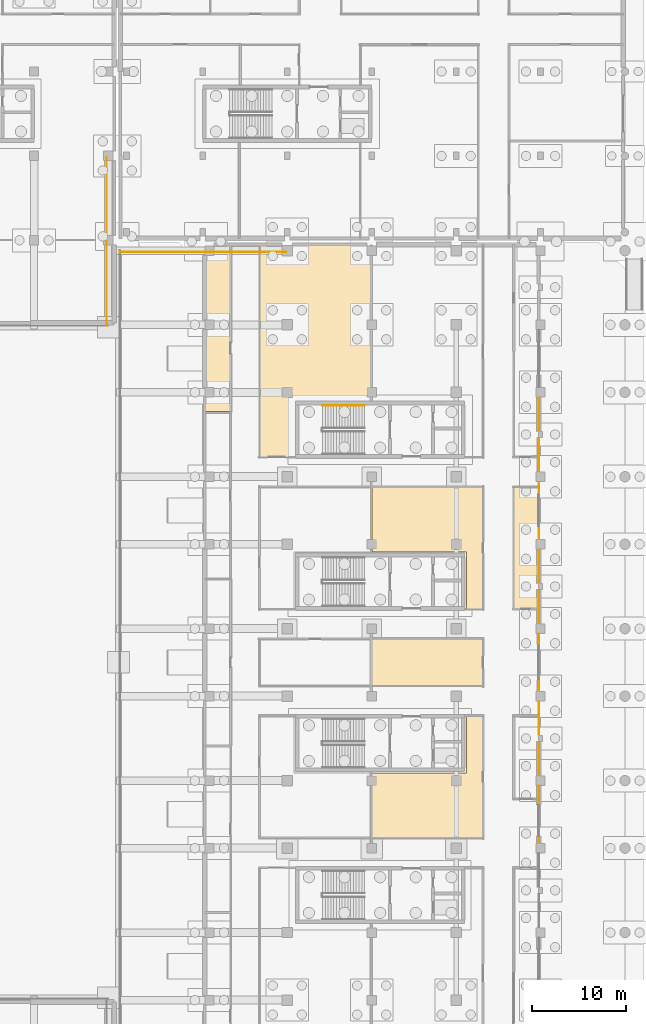
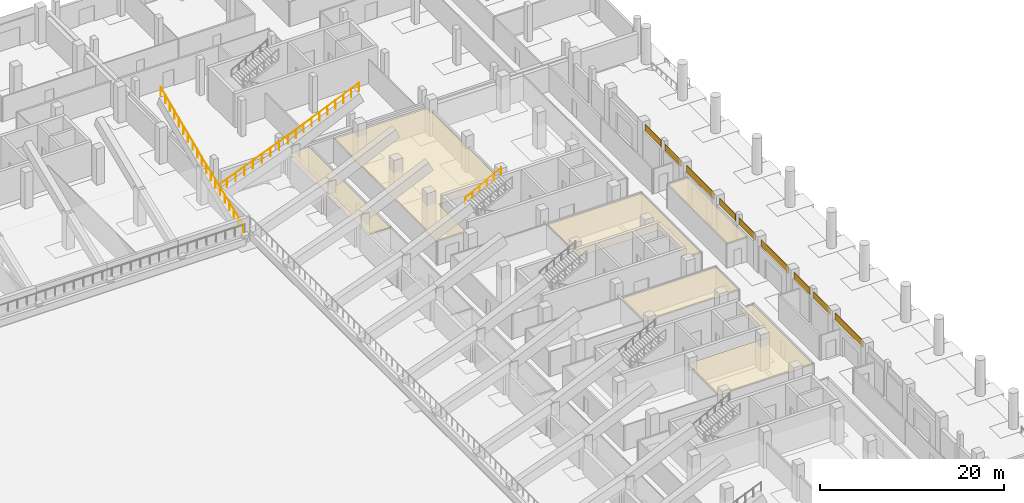
# One storey, part 50 of 53: 15 coverings, 3 railings.
"""IFC4 building model written with IfcOpenShell, lengths in metres."""

from ifc_helpers import new_model, si_unit, direction, frame, origin, origin_2d, place, context, subcontext, project, spatial, polyline, rectangle, circle, outline, extrude, material, layer, layer_set, type_object, element, save


model = new_model("IFC4")

# Units and contexts
model_context = context("Model", 3, precision=1e-05, world=origin(), true_north=direction((0.0, 1.0)))
body_context = subcontext(model_context, "Body", "Model", "MODEL_VIEW")
ifc_project = project(units=[si_unit("LENGTHUNIT", "METRE"), si_unit("AREAUNIT", "SQUARE_METRE"), si_unit("VOLUMEUNIT", "CUBIC_METRE"), si_unit("PLANEANGLEUNIT", "RADIAN"), si_unit("MASSUNIT", "GRAM", prefix="KILO"), si_unit("THERMODYNAMICTEMPERATUREUNIT", "KELVIN"), si_unit("POWERUNIT", "WATT")], contexts=[model_context])

# Site, building, storey
site_placement = place(None, origin())
site = spatial("IfcSite", under=ifc_project, at=site_placement, CompositionType="ELEMENT")
building_placement = place(site_placement, origin())
building = spatial("IfcBuilding", under=site, at=building_placement, Name="Sindhuravela Promenade Stadium", CompositionType="ELEMENT")
storey_placement = place(building_placement, origin())
storey = spatial("IfcBuildingStorey", under=building, at=storey_placement, Name="L00", CompositionType="ELEMENT", Elevation=0.0)

# Coverings
ifc_material_1 = material(Name="Acoustic mineral-fibre ceiling tile", Category="gypsum")
ifc_layer_1 = layer(ifc_material_1, 0.02490234375)
ifc_layer_set_1 = layer_set([ifc_layer_1], Name="Acoustic mineral-fibre ceiling tile")
covering_type_1 = type_object("IfcCoveringType", Name="CV-CEIL-1", PredefinedType="CEILING", material=ifc_layer_set_1)
covering_1_placement = place(storey_placement, frame((0.0, 0.0, 3.050048828125)))
element("IfcCovering", 1, at=covering_1_placement, inside=storey, type_object=covering_type_1, Name="Acoustic ceiling Supporters Entrance Hall", PredefinedType="CEILING", context=body_context, shape_type="SweptSolid", body=[
    extrude(outline(polyline([(180.719970703125, 108.97998046875), (180.719970703125, 102.889892578125), (180.719970703125, 102.887939453125), (180.719482421875, 102.885986328125), (180.718994140625, 102.88427734375), (180.718505859375, 102.88232421875), (180.717529296875, 102.880615234375), (180.716552734375, 102.87890625), (180.715576171875, 102.877197265625), (180.714111328125, 102.8759765625), (180.712646484375, 102.87451171875), (180.711181640625, 102.873291015625), (180.70947265625, 102.872314453125), (180.707763671875, 102.87158203125), (180.705810546875, 102.870849609375), (180.703857421875, 102.870361328125), (180.701904296875, 102.8701171875), (180.699951171875, 102.8701171875), (177.0400390625, 102.8701171875), (177.0380859375, 102.8701171875), (177.0361328125, 102.870361328125), (177.0341796875, 102.870849609375), (177.0322265625, 102.87158203125), (177.030517578125, 102.872314453125), (177.02880859375, 102.873291015625), (177.02734375, 102.87451171875), (177.02587890625, 102.8759765625), (177.0244140625, 102.877197265625), (177.0234375, 102.87890625), (177.0224609375, 102.880615234375), (177.021484375, 102.88232421875), (177.02099609375, 102.88427734375), (177.0205078125, 102.885986328125), (177.02001953125, 102.887939453125), (177.02001953125, 102.889892578125), (177.02001953125, 125.429931640625), (177.02001953125, 125.431884765625), (177.0205078125, 125.433837890625), (177.02099609375, 125.435791015625), (177.021484375, 125.437744140625), (177.0224609375, 125.439453125), (177.0234375, 125.441162109375), (177.0244140625, 125.442626953125), (177.02587890625, 125.444091796875), (177.02734375, 125.445556640625), (177.02880859375, 125.446533203125), (177.030517578125, 125.447509765625), (177.0322265625, 125.448486328125), (177.0341796875, 125.44921875), (177.0361328125, 125.44970703125), (177.0380859375, 125.449951171875), (177.0400390625, 125.449951171875), (188.830078125, 125.449951171875), (188.83203125, 125.449951171875), (188.833984375, 125.44970703125), (188.835693359375, 125.44921875), (188.837646484375, 125.448486328125), (188.83935546875, 125.447509765625), (188.841064453125, 125.446533203125), (188.8427734375, 125.445556640625), (188.843994140625, 125.444091796875), (188.845458984375, 125.442626953125), (188.8466796875, 125.441162109375), (188.84765625, 125.439453125), (188.848388671875, 125.437744140625), (188.84912109375, 125.435791015625), (188.849609375, 125.433837890625), (188.849853515625, 125.431884765625), (188.85009765625, 125.429931640625), (188.85009765625, 109.0), (188.849853515625, 108.998046875), (188.849609375, 108.99609375), (188.84912109375, 108.994140625), (188.848388671875, 108.9921875), (188.84765625, 108.990478515625), (188.8466796875, 108.989013671875), (188.845458984375, 108.9873046875), (188.843994140625, 108.98583984375), (188.8427734375, 108.984619140625), (188.841064453125, 108.9833984375), (188.83935546875, 108.982421875), (188.837646484375, 108.9814453125), (188.835693359375, 108.98095703125), (188.833984375, 108.98046875), (188.83203125, 108.97998046875), (188.830078125, 108.97998046875), (180.719970703125, 108.97998046875)])), origin(), (0.0, 0.0, 1.0), 0.02490234375),
])
covering_2_placement = place(storey_placement, frame((0.0, 0.0, 3.050048828125)))
element("IfcCovering", 2, at=covering_2_placement, inside=storey, type_object=covering_type_1, Name="Acoustic ceiling Accessible WC East L00", PredefinedType="CEILING", context=body_context, shape_type="SweptSolid", body=[
    extrude(outline(polyline([(200.860107421875, 99.72998046875), (200.862060546875, 99.72998046875), (200.864013671875, 99.7294921875), (200.86572265625, 99.72900390625), (200.86767578125, 99.728515625), (200.869384765625, 99.7275390625), (200.87109375, 99.7265625), (200.872802734375, 99.7255859375), (200.8740234375, 99.72412109375), (200.87548828125, 99.72265625), (200.876708984375, 99.72119140625), (200.877685546875, 99.719482421875), (200.87841796875, 99.7177734375), (200.879150390625, 99.7158203125), (200.879638671875, 99.7138671875), (200.8798828125, 99.7119140625), (200.8798828125, 99.7099609375), (200.8798828125, 86.68994140625), (200.8798828125, 86.68798828125), (200.879638671875, 86.68603515625), (200.879150390625, 86.68408203125), (200.87841796875, 86.682373046875), (200.877685546875, 86.6806640625), (200.876708984375, 86.678955078125), (200.87548828125, 86.67724609375), (200.8740234375, 86.67578125), (200.872802734375, 86.674560546875), (200.87109375, 86.67333984375), (200.869384765625, 86.67236328125), (200.86767578125, 86.67138671875), (200.86572265625, 86.6708984375), (200.864013671875, 86.67041015625), (200.862060546875, 86.670166015625), (200.860107421875, 86.669921875), (199.10009765625, 86.669921875), (199.097900390625, 86.670166015625), (199.09619140625, 86.67041015625), (199.09423828125, 86.6708984375), (199.09228515625, 86.67138671875), (199.090576171875, 86.67236328125), (199.0888671875, 86.67333984375), (199.08740234375, 86.674560546875), (199.0859375, 86.67578125), (199.08447265625, 86.67724609375), (199.08349609375, 86.678955078125), (199.08251953125, 86.6806640625), (199.08154296875, 86.682373046875), (199.080810546875, 86.68408203125), (199.080322265625, 86.68603515625), (199.080078125, 86.68798828125), (199.080078125, 86.68994140625), (199.080078125, 92.780029296875), (189.070068359375, 92.780029296875), (189.068115234375, 92.780029296875), (189.066162109375, 92.780517578125), (189.064208984375, 92.781005859375), (189.062255859375, 92.781494140625), (189.060546875, 92.782470703125), (189.058837890625, 92.783447265625), (189.057373046875, 92.784423828125), (189.055908203125, 92.785888671875), (189.054443359375, 92.787353515625), (189.053466796875, 92.788818359375), (189.052490234375, 92.79052734375), (189.051513671875, 92.792236328125), (189.05078125, 92.794189453125), (189.05029296875, 92.796142578125), (189.050048828125, 92.798095703125), (189.050048828125, 92.800048828125), (189.050048828125, 99.7099609375), (189.050048828125, 99.7119140625), (189.05029296875, 99.7138671875), (189.05078125, 99.7158203125), (189.051513671875, 99.7177734375), (189.052490234375, 99.719482421875), (189.053466796875, 99.72119140625), (189.054443359375, 99.72265625), (189.055908203125, 99.72412109375), (189.057373046875, 99.7255859375), (189.058837890625, 99.7265625), (189.060546875, 99.7275390625), (189.062255859375, 99.728515625), (189.064208984375, 99.72900390625), (189.066162109375, 99.7294921875), (189.068115234375, 99.72998046875), (189.070068359375, 99.72998046875), (200.860107421875, 99.72998046875)])), origin(), (0.0, 0.0, 1.0), 0.02490234375),
])
covering_3_placement = place(storey_placement, frame((0.0, 0.0, 3.050048828125)))
element("IfcCovering", 3, at=covering_3_placement, inside=storey, type_object=covering_type_1, Name="Acoustic ceiling Supporters Entrance Hall 2", PredefinedType="CEILING", context=body_context, shape_type="SweptSolid", body=[
    extrude(outline(polyline([(200.860107421875, 83.530029296875), (200.862060546875, 83.52978515625), (200.864013671875, 83.529541015625), (200.86572265625, 83.529052734375), (200.86767578125, 83.528564453125), (200.869384765625, 83.527587890625), (200.87109375, 83.526611328125), (200.872802734375, 83.525390625), (200.8740234375, 83.524169921875), (200.87548828125, 83.522705078125), (200.876708984375, 83.52099609375), (200.877685546875, 83.519287109375), (200.87841796875, 83.517578125), (200.879150390625, 83.515869140625), (200.879638671875, 83.513916015625), (200.8798828125, 83.511962890625), (200.8798828125, 83.510009765625), (200.8798828125, 78.489990234375), (200.8798828125, 78.488037109375), (200.879638671875, 78.486083984375), (200.879150390625, 78.484130859375), (200.87841796875, 78.482421875), (200.877685546875, 78.480712890625), (200.876708984375, 78.47900390625), (200.87548828125, 78.477294921875), (200.8740234375, 78.475830078125), (200.872802734375, 78.474609375), (200.87109375, 78.473388671875), (200.869384765625, 78.472412109375), (200.86767578125, 78.471435546875), (200.86572265625, 78.470947265625), (200.864013671875, 78.470458984375), (200.862060546875, 78.47021484375), (200.860107421875, 78.469970703125), (189.070068359375, 78.469970703125), (189.068115234375, 78.47021484375), (189.066162109375, 78.470458984375), (189.064208984375, 78.470947265625), (189.062255859375, 78.471435546875), (189.060546875, 78.472412109375), (189.058837890625, 78.473388671875), (189.057373046875, 78.474609375), (189.055908203125, 78.475830078125), (189.054443359375, 78.477294921875), (189.053466796875, 78.47900390625), (189.052490234375, 78.480712890625), (189.051513671875, 78.482421875), (189.05078125, 78.484130859375), (189.05029296875, 78.486083984375), (189.050048828125, 78.488037109375), (189.050048828125, 78.489990234375), (189.050048828125, 83.510009765625), (189.050048828125, 83.511962890625), (189.05029296875, 83.513916015625), (189.05078125, 83.515869140625), (189.051513671875, 83.517578125), (189.052490234375, 83.519287109375), (189.053466796875, 83.52099609375), (189.054443359375, 83.522705078125), (189.055908203125, 83.524169921875), (189.057373046875, 83.525390625), (189.058837890625, 83.526611328125), (189.060546875, 83.527587890625), (189.062255859375, 83.528564453125), (189.064208984375, 83.529052734375), (189.066162109375, 83.529541015625), (189.068115234375, 83.52978515625), (189.070068359375, 83.530029296875), (200.860107421875, 83.530029296875)])), origin(), (0.0, 0.0, 1.0), 0.02490234375),
])
ifc_layer_2 = layer(ifc_material_1, 0.044921875)
ifc_layer_set_2 = layer_set([ifc_layer_2], Name="Acoustic mineral-fibre ceiling tile")
covering_type_2 = type_object("IfcCoveringType", Name="CV-CEIL-2", PredefinedType="CEILING", material=ifc_layer_set_2)
covering_4_placement = place(storey_placement, frame((0.0, 0.0, 3.050048828125)))
element("IfcCovering", 4, at=covering_4_placement, inside=storey, type_object=covering_type_2, Name="Acoustic ceiling Public Toilet Block East L00", PredefinedType="CEILING", context=body_context, shape_type="SweptSolid", body=[
    extrude(outline(polyline([(199.080078125, 75.31005859375), (199.080078125, 75.31201171875), (199.080322265625, 75.31396484375), (199.080810546875, 75.31591796875), (199.08154296875, 75.317626953125), (199.08251953125, 75.3193359375), (199.08349609375, 75.321044921875), (199.08447265625, 75.32275390625), (199.0859375, 75.32421875), (199.08740234375, 75.325439453125), (199.0888671875, 75.32666015625), (199.090576171875, 75.32763671875), (199.09228515625, 75.32861328125), (199.09423828125, 75.3291015625), (199.09619140625, 75.32958984375), (199.097900390625, 75.329833984375), (199.10009765625, 75.330078125), (200.860107421875, 75.330078125), (200.862060546875, 75.329833984375), (200.864013671875, 75.32958984375), (200.86572265625, 75.3291015625), (200.86767578125, 75.32861328125), (200.869384765625, 75.32763671875), (200.87109375, 75.32666015625), (200.872802734375, 75.325439453125), (200.8740234375, 75.32421875), (200.87548828125, 75.32275390625), (200.876708984375, 75.321044921875), (200.877685546875, 75.3193359375), (200.87841796875, 75.317626953125), (200.879150390625, 75.31591796875), (200.879638671875, 75.31396484375), (200.8798828125, 75.31201171875), (200.8798828125, 75.31005859375), (200.8798828125, 62.2900390625), (200.8798828125, 62.2880859375), (200.879638671875, 62.2861328125), (200.879150390625, 62.2841796875), (200.87841796875, 62.2822265625), (200.877685546875, 62.280517578125), (200.876708984375, 62.27880859375), (200.87548828125, 62.27734375), (200.8740234375, 62.27587890625), (200.872802734375, 62.2744140625), (200.87109375, 62.2734375), (200.869384765625, 62.2724609375), (200.86767578125, 62.271484375), (200.86572265625, 62.27099609375), (200.864013671875, 62.2705078125), (200.862060546875, 62.27001953125), (200.860107421875, 62.27001953125), (189.070068359375, 62.27001953125), (189.068115234375, 62.27001953125), (189.066162109375, 62.2705078125), (189.064208984375, 62.27099609375), (189.062255859375, 62.271484375), (189.060546875, 62.2724609375), (189.058837890625, 62.2734375), (189.057373046875, 62.2744140625), (189.055908203125, 62.27587890625), (189.054443359375, 62.27734375), (189.053466796875, 62.27880859375), (189.052490234375, 62.280517578125), (189.051513671875, 62.2822265625), (189.05078125, 62.2841796875), (189.05029296875, 62.2861328125), (189.050048828125, 62.2880859375), (189.050048828125, 62.2900390625), (189.050048828125, 69.199951171875), (189.050048828125, 69.201904296875), (189.05029296875, 69.203857421875), (189.05078125, 69.205810546875), (189.051513671875, 69.207763671875), (189.052490234375, 69.20947265625), (189.053466796875, 69.211181640625), (189.054443359375, 69.212646484375), (189.055908203125, 69.214111328125), (189.057373046875, 69.215576171875), (189.058837890625, 69.216552734375), (189.060546875, 69.217529296875), (189.062255859375, 69.218505859375), (189.064208984375, 69.218994140625), (189.066162109375, 69.219482421875), (189.068115234375, 69.219970703125), (189.070068359375, 69.219970703125), (199.080078125, 69.219970703125), (199.080078125, 75.31005859375)])), origin(), (0.0, 0.0, 1.0), 0.044921875),
])
covering_5_placement = place(storey_placement, frame((0.0, 0.0, 3.050048828125)))
element("IfcCovering", 5, at=covering_5_placement, inside=storey, type_object=covering_type_2, Name="Acoustic ceiling Sports Museum Foyer 5", PredefinedType="CEILING", context=body_context, shape_type="SweptSolid", body=[
    extrude(outline(polyline([(173.9599609375, 125.449951171875), (173.9619140625, 125.449951171875), (173.9638671875, 125.44970703125), (173.9658203125, 125.44921875), (173.9677734375, 125.448486328125), (173.969482421875, 125.447509765625), (173.97119140625, 125.446533203125), (173.97265625, 125.445556640625), (173.97412109375, 125.444091796875), (173.9755859375, 125.442626953125), (173.9765625, 125.441162109375), (173.9775390625, 125.439453125), (173.978515625, 125.437744140625), (173.97900390625, 125.435791015625), (173.9794921875, 125.433837890625), (173.97998046875, 125.431884765625), (173.97998046875, 125.429931640625), (173.97998046875, 107.778076171875), (173.97998046875, 107.77587890625), (173.9794921875, 107.774169921875), (173.97900390625, 107.772216796875), (173.978515625, 107.770263671875), (173.9775390625, 107.7685546875), (173.9765625, 107.766845703125), (173.9755859375, 107.765380859375), (173.97412109375, 107.763916015625), (173.97265625, 107.762451171875), (173.97119140625, 107.761474609375), (173.969482421875, 107.760498046875), (173.9677734375, 107.759521484375), (173.9658203125, 107.7587890625), (173.9638671875, 107.75830078125), (173.9619140625, 107.758056640625), (173.9599609375, 107.758056640625), (171.320068359375, 107.758056640625), (171.318115234375, 107.758056640625), (171.316162109375, 107.75830078125), (171.314208984375, 107.7587890625), (171.312255859375, 107.759521484375), (171.310546875, 107.760498046875), (171.308837890625, 107.761474609375), (171.307373046875, 107.762451171875), (171.305908203125, 107.763916015625), (171.304443359375, 107.765380859375), (171.303466796875, 107.766845703125), (171.302490234375, 107.7685546875), (171.301513671875, 107.770263671875), (171.30078125, 107.772216796875), (171.30029296875, 107.774169921875), (171.300048828125, 107.77587890625), (171.300048828125, 107.778076171875), (171.300048828125, 125.429931640625), (171.300048828125, 125.431884765625), (171.30029296875, 125.433837890625), (171.30078125, 125.435791015625), (171.301513671875, 125.437744140625), (171.302490234375, 125.439453125), (171.303466796875, 125.441162109375), (171.304443359375, 125.442626953125), (171.305908203125, 125.444091796875), (171.307373046875, 125.445556640625), (171.308837890625, 125.446533203125), (171.310546875, 125.447509765625), (171.312255859375, 125.448486328125), (171.314208984375, 125.44921875), (171.316162109375, 125.44970703125), (171.318115234375, 125.449951171875), (171.320068359375, 125.449951171875), (173.9599609375, 125.449951171875)])), origin(), (0.0, 0.0, 1.0), 0.044921875),
])
covering_6_placement = place(storey_placement, frame((0.0, 0.0, 3.050048828125)))
element("IfcCovering", 6, at=covering_6_placement, inside=storey, type_object=covering_type_2, Name="Acoustic ceiling Public Toilet Block East L00 9", PredefinedType="CEILING", context=body_context, shape_type="SweptSolid", body=[
    extrude(outline(polyline([(206.699951171875, 86.68994140625), (206.699951171875, 86.68798828125), (206.69970703125, 86.68603515625), (206.69921875, 86.68408203125), (206.698486328125, 86.682373046875), (206.697509765625, 86.6806640625), (206.696533203125, 86.678955078125), (206.695556640625, 86.67724609375), (206.694091796875, 86.67578125), (206.692626953125, 86.674560546875), (206.691162109375, 86.67333984375), (206.689453125, 86.67236328125), (206.687744140625, 86.67138671875), (206.685791015625, 86.6708984375), (206.683837890625, 86.67041015625), (206.681884765625, 86.670166015625), (206.679931640625, 86.669921875), (204.139892578125, 86.669921875), (204.137939453125, 86.670166015625), (204.135986328125, 86.67041015625), (204.13427734375, 86.6708984375), (204.13232421875, 86.67138671875), (204.130615234375, 86.67236328125), (204.12890625, 86.67333984375), (204.127197265625, 86.674560546875), (204.1259765625, 86.67578125), (204.12451171875, 86.67724609375), (204.123291015625, 86.678955078125), (204.122314453125, 86.6806640625), (204.12158203125, 86.682373046875), (204.120849609375, 86.68408203125), (204.120361328125, 86.68603515625), (204.1201171875, 86.68798828125), (204.1201171875, 86.68994140625), (204.1201171875, 99.7099609375), (204.1201171875, 99.7119140625), (204.120361328125, 99.7138671875), (204.120849609375, 99.7158203125), (204.12158203125, 99.7177734375), (204.122314453125, 99.719482421875), (204.123291015625, 99.72119140625), (204.12451171875, 99.72265625), (204.1259765625, 99.72412109375), (204.127197265625, 99.7255859375), (204.12890625, 99.7265625), (204.130615234375, 99.7275390625), (204.13232421875, 99.728515625), (204.13427734375, 99.72900390625), (204.135986328125, 99.7294921875), (204.137939453125, 99.72998046875), (204.139892578125, 99.72998046875), (206.679931640625, 99.72998046875), (206.681884765625, 99.72998046875), (206.683837890625, 99.7294921875), (206.685791015625, 99.72900390625), (206.687744140625, 99.728515625), (206.689453125, 99.7275390625), (206.691162109375, 99.7265625), (206.692626953125, 99.7255859375), (206.694091796875, 99.72412109375), (206.695556640625, 99.72265625), (206.696533203125, 99.72119140625), (206.697509765625, 99.719482421875), (206.698486328125, 99.7177734375), (206.69921875, 99.7158203125), (206.69970703125, 99.7138671875), (206.699951171875, 99.7119140625), (206.699951171875, 99.7099609375), (206.699951171875, 86.68994140625)])), origin(), (0.0, 0.0, 1.0), 0.044921875),
])
ifc_material_2 = material(Name="Polychrome trencadis ceramic mosaic", Category="masonry")
ifc_layer_3 = layer(ifc_material_2, 0.034912109375)
ifc_layer_set_3 = layer_set([ifc_layer_3], Name="Polychrome trencadis ceramic mosaic")
covering_type_3 = type_object("IfcCoveringType", Name="CV-TRENC-1", PredefinedType="CLADDING", material=ifc_layer_set_3)
for number, where, z_axis, x_axis, name in (
    (7, (206.820068359375, 103.137451171875, 3.55517578125), (0.0, 0.0, 1.0), (0.0, -1.0, 0.0), "Trencadis ceramic mosaic spandrel frieze EAST L00-146"),
    (8, (206.820068359375, 91.262451171875, 3.55517578125), (0.0, 0.0, 1.0), (0.0, -1.0, 0.0), "Trencadis ceramic mosaic spandrel frieze EAST L00-148"),
):
    element("IfcCovering", number, at=place(storey_placement, frame(where, z_axis=z_axis, x_axis=x_axis)), inside=storey, type_object=covering_type_3, Name=name, PredefinedType="CLADDING", context=body_context, shape_type="SweptSolid", body=[
        extrude(rectangle(XDim=3.544921875, YDim=0.034912109375, at=origin_2d()), origin(), (0.0, 0.0, 1.0), 0.905029296875),
    ])
covering_7_placement = place(storey_placement, frame((206.820068359375, 81.0, 3.55517578125), z_axis=(0.0, 0.0, 1.0), x_axis=(0.0, -1.0, 0.0)))
element("IfcCovering", 9, at=covering_7_placement, inside=storey, type_object=covering_type_3, Name="Trencadis ceramic mosaic spandrel frieze EAST L00-150", PredefinedType="CLADDING", context=body_context, shape_type="SweptSolid", body=[
    extrude(rectangle(XDim=6.070068359375, YDim=0.034912109375, at=origin_2d()), origin(), (0.0, 0.0, 1.0), 0.905029296875),
])
covering_8_placement = place(storey_placement, frame((206.820068359375, 70.737548828125, 3.55517578125), z_axis=(0.0, 0.0, 1.0), x_axis=(0.0, -1.0, 0.0)))
element("IfcCovering", 10, at=covering_8_placement, inside=storey, type_object=covering_type_3, Name="Trencadis ceramic mosaic spandrel frieze EAST L00-152", PredefinedType="CLADDING", context=body_context, shape_type="SweptSolid", body=[
    extrude(rectangle(XDim=3.544921875, YDim=0.034912109375, at=origin_2d()), origin(), (0.0, 0.0, 1.0), 0.905029296875),
])
ifc_layer_4 = layer(ifc_material_2, 0.050048828125)
ifc_layer_set_4 = layer_set([ifc_layer_4], Name="Polychrome trencadis ceramic mosaic")
covering_type_4 = type_object("IfcCoveringType", Name="CV-TRENC-2", PredefinedType="CLADDING", material=ifc_layer_set_4)
covering_9_placement = place(storey_placement, frame((206.820068359375, 107.46240234375, 3.55517578125), z_axis=(0.0, 0.0, 1.0), x_axis=(0.0, -1.0, 0.0)))
element("IfcCovering", 11, at=covering_9_placement, inside=storey, type_object=covering_type_4, Name="Trencadis ceramic mosaic spandrel frieze EAST L00-145", PredefinedType="CLADDING", context=body_context, shape_type="SweptSolid", body=[
    extrude(rectangle(XDim=3.544921875, YDim=0.050048828125, at=origin_2d()), origin(), (0.0, 0.0, 1.0), 0.905029296875),
])
covering_10_placement = place(storey_placement, frame((206.820068359375, 97.199951171875, 3.55517578125), z_axis=(0.0, 0.0, 1.0), x_axis=(0.0, -1.0, 0.0)))
element("IfcCovering", 12, at=covering_10_placement, inside=storey, type_object=covering_type_4, Name="Trencadis ceramic mosaic spandrel frieze EAST L00-147", PredefinedType="CLADDING", context=body_context, shape_type="SweptSolid", body=[
    extrude(rectangle(XDim=6.070068359375, YDim=0.050048828125, at=origin_2d()), origin(), (0.0, 0.0, 1.0), 0.905029296875),
])
for number, where, z_axis, x_axis, name in (
    (13, (206.820068359375, 86.9375, 3.55517578125), (0.0, 0.0, 1.0), (0.0, -1.0, 0.0), "Trencadis ceramic mosaic spandrel frieze EAST L00-149"),
    (14, (206.820068359375, 75.0625, 3.55517578125), (0.0, 0.0, 1.0), (0.0, -1.0, 0.0), "Trencadis ceramic mosaic spandrel frieze EAST L00-151"),
):
    element("IfcCovering", number, at=place(storey_placement, frame(where, z_axis=z_axis, x_axis=x_axis)), inside=storey, type_object=covering_type_4, Name=name, PredefinedType="CLADDING", context=body_context, shape_type="SweptSolid", body=[
        extrude(rectangle(XDim=3.544921875, YDim=0.050048828125, at=origin_2d()), origin(), (0.0, 0.0, 1.0), 0.905029296875),
    ])
covering_11_placement = place(storey_placement, frame((206.820068359375, 64.800048828125, 3.55517578125), z_axis=(0.0, 0.0, 1.0), x_axis=(0.0, -1.0, 0.0)))
element("IfcCovering", 15, at=covering_11_placement, inside=storey, type_object=covering_type_4, Name="Trencadis ceramic mosaic spandrel frieze EAST L00-153", PredefinedType="CLADDING", context=body_context, shape_type="SweptSolid", body=[
    extrude(rectangle(XDim=6.070068359375, YDim=0.050048828125, at=origin_2d()), origin(), (0.0, 0.0, 1.0), 0.905029296875),
])

# Railings
ifc_material_3 = material(Name="Architectural wrought steel E350", Category="steel")
railing_type_1 = type_object("IfcRailingType", Name="RL-GRD-1150", PredefinedType="GUARDRAIL", material=ifc_material_3)
railing_1_placement = place(storey_placement, frame((162.14990234375, 124.75, 1.449951171875)))
element("IfcRailing", 16, at=railing_1_placement, inside=storey, type_object=railing_type_1, Name="Stand bowl crowd barrier GR01-96", PredefinedType="GUARDRAIL", context=body_context, shape_type="SweptSolid", body=[
    extrude(circle(Radius=0.02392578125, at=origin_2d()), frame((0.0, 0.0, 1.1259765625), z_axis=(0.9266377776708234, 0.0, 0.3759553550533327), x_axis=(0.0, 1.0, 0.0)), (0.0, 0.0, 1.0), 9.442626953125),
    extrude(circle(Radius=0.02392578125, at=origin_2d()), frame((8.75, 0.0, 4.67578125), z_axis=(0.9186127990796654, 0.0, 0.3951588609243405), x_axis=(0.0, 1.0, 0.0)), (0.0, 0.0, 1.0), 9.7431640625),
    extrude(circle(Radius=0.02099609375, at=origin_2d()), origin(), (0.0, 0.0, 1.0), 1.101806640625),
    extrude(circle(Radius=0.02099609375, at=origin_2d()), frame((1.09375, 0.0, 0.44384765625)), (0.0, 0.0, 1.0), 1.101806640625),
    extrude(circle(Radius=0.02099609375, at=origin_2d()), frame((2.1875, 0.0, 0.887451171875)), (0.0, 0.0, 1.0), 1.101806640625),
    extrude(circle(Radius=0.02099609375, at=origin_2d()), frame((3.28125, 0.0, 1.331298828125)), (0.0, 0.0, 1.0), 1.101806640625),
    extrude(circle(Radius=0.02099609375, at=origin_2d()), frame((4.375, 0.0, 1.77490234375)), (0.0, 0.0, 1.0), 1.101806640625),
    extrude(circle(Radius=0.02099609375, at=origin_2d()), frame((5.46875, 0.0, 2.21875)), (0.0, 0.0, 1.0), 1.101806640625),
    extrude(circle(Radius=0.02099609375, at=origin_2d()), frame((6.5625, 0.0, 2.66259765625)), (0.0, 0.0, 1.0), 1.101806640625),
    extrude(circle(Radius=0.02099609375, at=origin_2d()), frame((7.65625, 0.0, 3.106201171875)), (0.0, 0.0, 1.0), 1.101806640625),
    extrude(circle(Radius=0.02099609375, at=origin_2d()), frame((8.75, 0.0, 3.550048828125)), (0.0, 0.0, 1.0), 1.101806640625),
    extrude(circle(Radius=0.02099609375, at=origin_2d()), frame((9.744384765625, 0.0, 3.977783203125)), (0.0, 0.0, 1.0), 1.101806640625),
    extrude(circle(Radius=0.02099609375, at=origin_2d()), frame((10.739013671875, 0.0, 4.405517578125)), (0.0, 0.0, 1.0), 1.101806640625),
    extrude(circle(Radius=0.02099609375, at=origin_2d()), frame((11.7333984375, 0.0, 4.83349609375)), (0.0, 0.0, 1.0), 1.101806640625),
    extrude(circle(Radius=0.02099609375, at=origin_2d()), frame((12.727783203125, 0.0, 5.26123046875)), (0.0, 0.0, 1.0), 1.101806640625),
    extrude(circle(Radius=0.02099609375, at=origin_2d()), frame((13.722412109375, 0.0, 5.68896484375)), (0.0, 0.0, 1.0), 1.101806640625),
    extrude(circle(Radius=0.02099609375, at=origin_2d()), frame((14.716796875, 0.0, 6.11669921875)), (0.0, 0.0, 1.0), 1.101806640625),
    extrude(circle(Radius=0.02099609375, at=origin_2d()), frame((15.711181640625, 0.0, 6.544677734375)), (0.0, 0.0, 1.0), 1.101806640625),
    extrude(circle(Radius=0.02099609375, at=origin_2d()), frame((16.705810546875, 0.0, 6.972412109375)), (0.0, 0.0, 1.0), 1.101806640625),
    extrude(circle(Radius=0.02099609375, at=origin_2d()), frame((17.7001953125, 0.0, 7.400146484375)), (0.0, 0.0, 1.0), 1.101806640625),
])
railing_2_placement = place(storey_placement, frame((160.75, 116.89990234375, 1.449951171875)))
element("IfcRailing", 17, at=railing_2_placement, inside=storey, type_object=railing_type_1, Name="Stand bowl crowd barrier GR01-104", PredefinedType="GUARDRAIL", context=body_context, shape_type="SweptSolid", body=[
    extrude(circle(Radius=0.02392578125, at=origin_2d()), frame((0.0, 0.0, 1.1259765625), z_axis=(0.0, 0.9302463636097077, 0.3669355570000206), x_axis=(-1.0, 0.0, 0.0)), (0.0, 0.0, 1.0), 9.6748046875),
    extrude(circle(Radius=0.02392578125, at=origin_2d()), frame((0.0, 9.0, 4.67578125), z_axis=(0.0, 0.9186127990796654, 0.3951588609243405), x_axis=(-1.0, 0.0, 0.0)), (0.0, 0.0, 1.0), 9.7431640625),
    extrude(circle(Radius=0.02099609375, at=origin_2d()), origin(), (0.0, 0.0, 1.0), 1.101806640625),
    extrude(circle(Radius=0.02099609375, at=origin_2d()), frame((0.0, 1.0, 0.39453125)), (0.0, 0.0, 1.0), 1.101806640625),
    extrude(circle(Radius=0.02099609375, at=origin_2d()), frame((0.0, 2.0, 0.788818359375)), (0.0, 0.0, 1.0), 1.101806640625),
    extrude(circle(Radius=0.02099609375, at=origin_2d()), frame((0.0, 3.0, 1.183349609375)), (0.0, 0.0, 1.0), 1.101806640625),
    extrude(circle(Radius=0.02099609375, at=origin_2d()), frame((0.0, 4.0, 1.577880859375)), (0.0, 0.0, 1.0), 1.101806640625),
    extrude(circle(Radius=0.02099609375, at=origin_2d()), frame((0.0, 5.0, 1.97216796875)), (0.0, 0.0, 1.0), 1.101806640625),
    extrude(circle(Radius=0.02099609375, at=origin_2d()), frame((0.0, 6.0, 2.36669921875)), (0.0, 0.0, 1.0), 1.101806640625),
    extrude(circle(Radius=0.02099609375, at=origin_2d()), frame((0.0, 7.0, 2.76123046875)), (0.0, 0.0, 1.0), 1.101806640625),
    extrude(circle(Radius=0.02099609375, at=origin_2d()), frame((0.0, 8.0, 3.155517578125)), (0.0, 0.0, 1.0), 1.101806640625),
    extrude(circle(Radius=0.02099609375, at=origin_2d()), frame((0.0, 9.0, 3.550048828125)), (0.0, 0.0, 1.0), 1.101806640625),
    extrude(circle(Radius=0.02099609375, at=origin_2d()), frame((0.0, 9.994384765625, 3.977783203125)), (0.0, 0.0, 1.0), 1.101806640625),
    extrude(circle(Radius=0.02099609375, at=origin_2d()), frame((0.0, 10.989013671875, 4.405517578125)), (0.0, 0.0, 1.0), 1.101806640625),
    extrude(circle(Radius=0.02099609375, at=origin_2d()), frame((0.0, 11.9833984375, 4.83349609375)), (0.0, 0.0, 1.0), 1.101806640625),
    extrude(circle(Radius=0.02099609375, at=origin_2d()), frame((0.0, 12.977783203125, 5.26123046875)), (0.0, 0.0, 1.0), 1.101806640625),
    extrude(circle(Radius=0.02099609375, at=origin_2d()), frame((0.0, 13.972412109375, 5.68896484375)), (0.0, 0.0, 1.0), 1.101806640625),
    extrude(circle(Radius=0.02099609375, at=origin_2d()), frame((0.0, 14.966796875, 6.11669921875)), (0.0, 0.0, 1.0), 1.101806640625),
    extrude(circle(Radius=0.02099609375, at=origin_2d()), frame((0.0, 15.961181640625, 6.544677734375)), (0.0, 0.0, 1.0), 1.101806640625),
    extrude(circle(Radius=0.02099609375, at=origin_2d()), frame((0.0, 16.955810546875, 6.972412109375)), (0.0, 0.0, 1.0), 1.101806640625),
    extrude(circle(Radius=0.02099609375, at=origin_2d()), frame((0.0, 17.9501953125, 7.400146484375)), (0.0, 0.0, 1.0), 1.101806640625),
])
railing_type_2 = type_object("IfcRailingType", Name="RL-HND-920", PredefinedType="HANDRAIL", material=ifc_material_3)
railing_3_placement = place(storey_placement, frame((183.75, 108.3798828125, 2.39990234375)))
element("IfcRailing", 18, at=railing_3_placement, inside=storey, type_object=railing_type_2, Name="Stair ST08 upper wall handrail (L00)", PredefinedType="HANDRAIL", context=body_context, shape_type="SweptSolid", body=[
    extrude(circle(Radius=0.02392578125, at=origin_2d()), frame((0.0, 0.0, 0.89599609375), z_axis=(0.8823410147872734, 0.0, 0.47061059659145427), x_axis=(0.0, 1.0, 0.0)), (0.0, 0.0, 1.0), 5.10009765625),
    extrude(circle(Radius=0.02099609375, at=origin_2d()), origin(), (0.0, 0.0, 1.0), 0.871826171875),
    extrude(circle(Radius=0.02099609375, at=origin_2d()), frame((0.89990234375, 0.0, 0.47998046875)), (0.0, 0.0, 1.0), 0.871826171875),
    extrude(circle(Radius=0.02099609375, at=origin_2d()), frame((1.800048828125, 0.0, 0.9599609375)), (0.0, 0.0, 1.0), 0.871826171875),
    extrude(circle(Radius=0.02099609375, at=origin_2d()), frame((2.699951171875, 0.0, 1.440185546875)), (0.0, 0.0, 1.0), 0.871826171875),
    extrude(circle(Radius=0.02099609375, at=origin_2d()), frame((3.60009765625, 0.0, 1.920166015625)), (0.0, 0.0, 1.0), 0.871826171875),
    extrude(circle(Radius=0.02099609375, at=origin_2d()), frame((4.5, 0.0, 2.400146484375)), (0.0, 0.0, 1.0), 0.871826171875),
])

save(model, "model.ifc")
